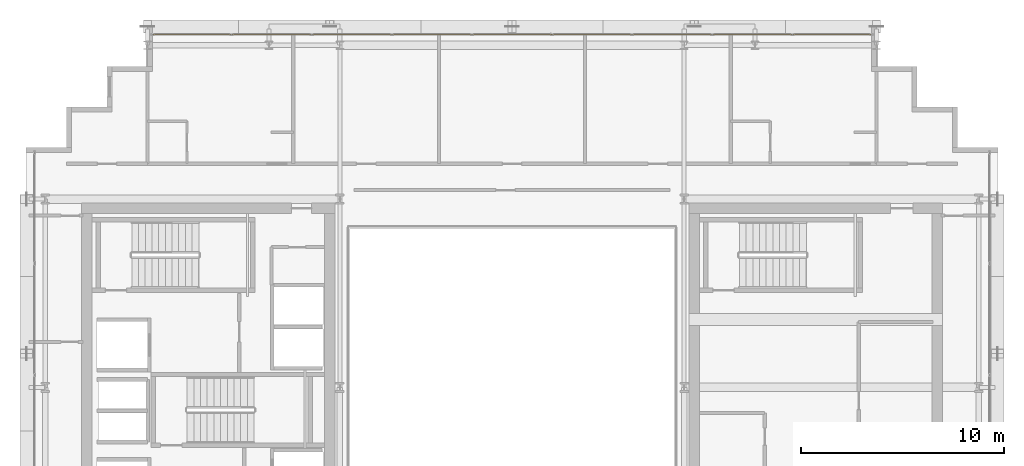
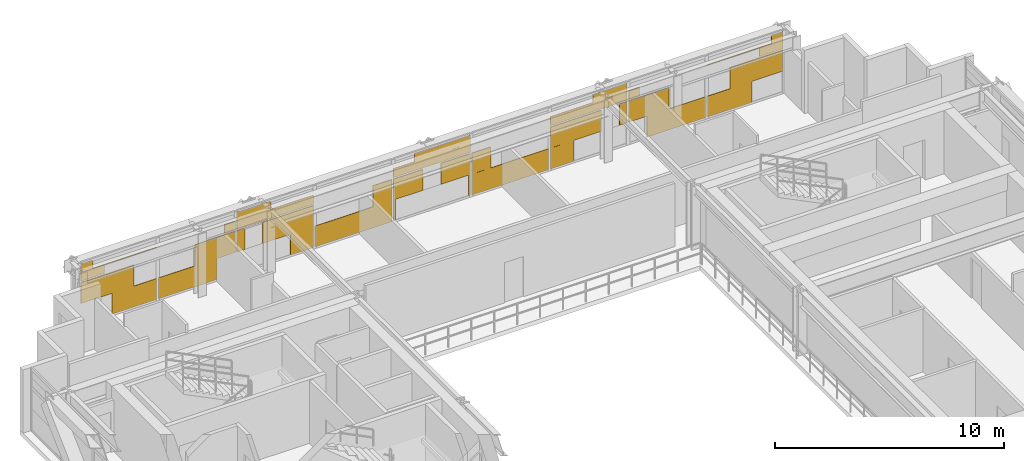
# One storey, part 31 of 31: 1 covering.
"""IFC4 building model written with IfcOpenShell, lengths in metres."""

from ifc_helpers import new_model, si_unit, direction, frame, origin, origin_2d, place, context, subcontext, project, spatial, rectangle, extrude, material, layer, layer_set, type_object, element, save


model = new_model("IFC4")

# Units and contexts
model_context = context("Model", 3, precision=1e-05, world=origin(), true_north=direction((0.0, 1.0)))
body_context = subcontext(model_context, "Body", "Model", "MODEL_VIEW")
ifc_project = project(units=[si_unit("LENGTHUNIT", "METRE"), si_unit("AREAUNIT", "SQUARE_METRE"), si_unit("VOLUMEUNIT", "CUBIC_METRE"), si_unit("PLANEANGLEUNIT", "RADIAN"), si_unit("MASSUNIT", "GRAM", prefix="KILO")], contexts=[model_context])

# Site, building, storey
site_placement = place(None, origin())
site = spatial("IfcSite", under=ifc_project, at=site_placement, CompositionType="ELEMENT")
building_placement = place(site_placement, origin())
building = spatial("IfcBuilding", under=site, at=building_placement, Name="Ocotamira Hotel", CompositionType="ELEMENT")
storey_placement = place(building_placement, frame((0.0, 0.0, 199.199951171875)))
storey = spatial("IfcBuildingStorey", under=building, at=storey_placement, Name="L50", CompositionType="ELEMENT", Elevation=199.199951171875)

# Covering
ifc_material = material(Name="Insulated pale-metal aluminium spandrel panel", Category="aluminium")
ifc_layer = layer(ifc_material, 0.044921875)
ifc_layer_set = layer_set([ifc_layer], Name="Insulated pale-metal aluminium spandrel panel")
covering_type = type_object("IfcCoveringType", Name="COV-INFILL-45", PredefinedType="CLADDING", material=ifc_layer_set)
covering_placement = place(storey_placement, origin())
element("IfcCovering", 1, at=covering_placement, inside=storey, type_object=covering_type, Name="L50 Curtain Wall Infill CW-4 CW-L50-N", PredefinedType="CLADDING", context=body_context, shape_type="SweptSolid", body=[
    extrude(rectangle(XDim=2.68701171875, YDim=0.044921875, at=origin_2d()), frame((15.6240234375, 45.580078125, 1.1943359375), z_axis=(0.0, 0.0, 1.0), x_axis=(1.0, 0.0, 0.0)), (0.0, 0.0, 1.0), 1.11767578125),
    extrude(rectangle(XDim=2.26708984375, YDim=0.044921875, at=origin_2d()), frame((16.9814453125, 45.580078125, 0.07568359375), z_axis=(0.0, 0.0, 1.0), x_axis=(1.0, 0.0, 0.0)), (0.0, 0.0, 1.0), 1.117919921875),
    extrude(rectangle(XDim=1.19482421875, YDim=0.044921875, at=origin_2d()), frame((14.8779296875, 45.580078125, 2.38818359375), z_axis=(0.0, 0.0, 1.0), x_axis=(1.0, 0.0, 0.0)), (0.0, 0.0, 1.0), 0.442626953125),
    extrude(rectangle(XDim=3.834716796875, YDim=0.044921875, at=origin_2d()), frame((16.19775390625, 45.580078125, 2.83154296875), z_axis=(0.0, 0.0, 1.0), x_axis=(1.0, 0.0, 0.0)), (0.0, 0.0, 1.0), 0.0302734375),
    extrude(rectangle(XDim=0.601318359375, YDim=0.044921875, at=origin_2d()), frame((14.581298828125, 45.580078125, 2.863037109375), z_axis=(0.0, 0.0, 1.0), x_axis=(1.0, 0.0, 0.0)), (0.0, 0.0, 1.0), 0.431640625),
    extrude(rectangle(XDim=2.955810546875, YDim=0.044921875, at=origin_2d()), frame((19.674072265625, 45.580078125, 0.07568359375), z_axis=(0.0, 0.0, 1.0), x_axis=(1.0, 0.0, 0.0)), (0.0, 0.0, 1.0), 1.117919921875),
    extrude(rectangle(XDim=2.0380859375, YDim=0.044921875, at=origin_2d()), frame((21.051513671875, 45.580078125, 1.1943359375), z_axis=(0.0, 0.0, 1.0), x_axis=(1.0, 0.0, 0.0)), (0.0, 0.0, 1.0), 1.11767578125),
    extrude(rectangle(XDim=0.5458984375, YDim=0.044921875, at=origin_2d()), frame((21.797607421875, 45.580078125, 2.38818359375), z_axis=(0.0, 0.0, 1.0), x_axis=(1.0, 0.0, 0.0)), (0.0, 0.0, 1.0), 0.473876953125),
    extrude(rectangle(XDim=0.398681640625, YDim=0.044921875, at=origin_2d()), frame((22.35107421875, 45.580078125, 1.1943359375), z_axis=(0.0, 0.0, 1.0), x_axis=(1.0, 0.0, 0.0)), (0.0, 0.0, 1.0), 1.11767578125),
    extrude(rectangle(XDim=2.57666015625, YDim=0.044921875, at=origin_2d()), frame((24.73779296875, 45.580078125, 1.1943359375), z_axis=(0.0, 0.0, 1.0), x_axis=(1.0, 0.0, 0.0)), (0.0, 0.0, 1.0), 1.11767578125),
    extrude(rectangle(XDim=1.177978515625, YDim=0.044921875, at=origin_2d()), frame((25.43701171875, 45.580078125, 0.07568359375), z_axis=(0.0, 0.0, 1.0), x_axis=(1.0, 0.0, 0.0)), (0.0, 0.0, 1.0), 1.117919921875),
    extrude(rectangle(XDim=3.87451171875, YDim=0.044921875, at=origin_2d()), frame((24.0888671875, 45.580078125, 2.38818359375), z_axis=(0.0, 0.0, 1.0), x_axis=(1.0, 0.0, 0.0)), (0.0, 0.0, 1.0), 0.473876953125),
    extrude(rectangle(XDim=1.730224609375, YDim=0.044921875, at=origin_2d()), frame((23.0166015625, 45.580078125, 2.863037109375), z_axis=(0.0, 0.0, 1.0), x_axis=(1.0, 0.0, 0.0)), (0.0, 0.0, 1.0), 0.431640625),
    extrude(rectangle(XDim=3.87451171875, YDim=0.044921875, at=origin_2d()), frame((28.04443359375, 45.580078125, 0.07568359375), z_axis=(0.0, 0.0, 1.0), x_axis=(1.0, 0.0, 0.0)), (0.0, 0.0, 1.0), 1.117919921875),
    extrude(rectangle(XDim=0.94921875, YDim=0.044921875, at=origin_2d()), frame((29.507080078125, 45.580078125, 1.1943359375), z_axis=(0.0, 0.0, 1.0), x_axis=(1.0, 0.0, 0.0)), (0.0, 0.0, 1.0), 1.11767578125),
    extrude(rectangle(XDim=0.089111328125, YDim=0.044921875, at=origin_2d()), frame((30.107421875, 45.580078125, 0.07568359375), z_axis=(0.0, 0.0, 1.0), x_axis=(1.0, 0.0, 0.0)), (0.0, 0.0, 1.0), 1.117919921875),
    extrude(rectangle(XDim=1.48779296875, YDim=0.044921875, at=origin_2d()), frame((30.806640625, 45.580078125, 1.1943359375), z_axis=(0.0, 0.0, 1.0), x_axis=(1.0, 0.0, 0.0)), (0.0, 0.0, 1.0), 1.11767578125),
    extrude(rectangle(XDim=1.48779296875, YDim=0.044921875, at=origin_2d()), frame((33.193359375, 45.580078125, 1.1943359375), z_axis=(0.0, 0.0, 1.0), x_axis=(1.0, 0.0, 0.0)), (0.0, 0.0, 1.0), 1.11767578125),
    extrude(rectangle(XDim=0.089111328125, YDim=0.044921875, at=origin_2d()), frame((33.892578125, 45.580078125, 0.07568359375), z_axis=(0.0, 0.0, 1.0), x_axis=(1.0, 0.0, 0.0)), (0.0, 0.0, 1.0), 1.117919921875),
    extrude(rectangle(XDim=3.87451171875, YDim=0.044921875, at=origin_2d()), frame((32.0, 45.580078125, 2.38818359375), z_axis=(0.0, 0.0, 1.0), x_axis=(1.0, 0.0, 0.0)), (0.0, 0.0, 1.0), 0.473876953125),
    extrude(rectangle(XDim=2.819091796875, YDim=0.044921875, at=origin_2d()), frame((32.527587890625, 45.580078125, 2.863037109375), z_axis=(0.0, 0.0, 1.0), x_axis=(1.0, 0.0, 0.0)), (0.0, 0.0, 1.0), 0.431640625),
    extrude(rectangle(XDim=3.87451171875, YDim=0.044921875, at=origin_2d()), frame((35.95556640625, 45.580078125, 0.07568359375), z_axis=(0.0, 0.0, 1.0), x_axis=(1.0, 0.0, 0.0)), (0.0, 0.0, 1.0), 1.117919921875),
    extrude(rectangle(XDim=0.94921875, YDim=0.044921875, at=origin_2d()), frame((34.492919921875, 45.580078125, 1.1943359375), z_axis=(0.0, 0.0, 1.0), x_axis=(1.0, 0.0, 0.0)), (0.0, 0.0, 1.0), 1.11767578125),
    extrude(rectangle(XDim=1.177978515625, YDim=0.044921875, at=origin_2d()), frame((38.56298828125, 45.580078125, 0.07568359375), z_axis=(0.0, 0.0, 1.0), x_axis=(1.0, 0.0, 0.0)), (0.0, 0.0, 1.0), 1.117919921875),
    extrude(rectangle(XDim=2.57666015625, YDim=0.044921875, at=origin_2d()), frame((39.26220703125, 45.580078125, 1.1943359375), z_axis=(0.0, 0.0, 1.0), x_axis=(1.0, 0.0, 0.0)), (0.0, 0.0, 1.0), 1.11767578125),
    extrude(rectangle(XDim=0.398681640625, YDim=0.044921875, at=origin_2d()), frame((41.64892578125, 45.580078125, 1.1943359375), z_axis=(0.0, 0.0, 1.0), x_axis=(1.0, 0.0, 0.0)), (0.0, 0.0, 1.0), 1.11767578125),
    extrude(rectangle(XDim=3.87451171875, YDim=0.044921875, at=origin_2d()), frame((39.9111328125, 45.580078125, 2.38818359375), z_axis=(0.0, 0.0, 1.0), x_axis=(1.0, 0.0, 0.0)), (0.0, 0.0, 1.0), 0.473876953125),
    extrude(rectangle(XDim=1.730224609375, YDim=0.044921875, at=origin_2d()), frame((40.9833984375, 45.580078125, 2.863037109375), z_axis=(0.0, 0.0, 1.0), x_axis=(1.0, 0.0, 0.0)), (0.0, 0.0, 1.0), 0.431640625),
    extrude(rectangle(XDim=2.0380859375, YDim=0.044921875, at=origin_2d()), frame((42.948486328125, 45.580078125, 1.1943359375), z_axis=(0.0, 0.0, 1.0), x_axis=(1.0, 0.0, 0.0)), (0.0, 0.0, 1.0), 1.11767578125),
    extrude(rectangle(XDim=2.955810546875, YDim=0.044921875, at=origin_2d()), frame((44.325927734375, 45.580078125, 0.07568359375), z_axis=(0.0, 0.0, 1.0), x_axis=(1.0, 0.0, 0.0)), (0.0, 0.0, 1.0), 1.117919921875),
    extrude(rectangle(XDim=0.5458984375, YDim=0.044921875, at=origin_2d()), frame((42.202392578125, 45.580078125, 2.38818359375), z_axis=(0.0, 0.0, 1.0), x_axis=(1.0, 0.0, 0.0)), (0.0, 0.0, 1.0), 0.473876953125),
    extrude(rectangle(XDim=2.26708984375, YDim=0.044921875, at=origin_2d()), frame((47.0185546875, 45.580078125, 0.07568359375), z_axis=(0.0, 0.0, 1.0), x_axis=(1.0, 0.0, 0.0)), (0.0, 0.0, 1.0), 1.117919921875),
    extrude(rectangle(XDim=2.68701171875, YDim=0.044921875, at=origin_2d()), frame((48.3759765625, 45.580078125, 1.1943359375), z_axis=(0.0, 0.0, 1.0), x_axis=(1.0, 0.0, 0.0)), (0.0, 0.0, 1.0), 1.11767578125),
    extrude(rectangle(XDim=3.834716796875, YDim=0.044921875, at=origin_2d()), frame((47.80224609375, 45.580078125, 2.83154296875), z_axis=(0.0, 0.0, 1.0), x_axis=(1.0, 0.0, 0.0)), (0.0, 0.0, 1.0), 0.0302734375),
    extrude(rectangle(XDim=1.19482421875, YDim=0.044921875, at=origin_2d()), frame((49.1220703125, 45.580078125, 2.38818359375), z_axis=(0.0, 0.0, 1.0), x_axis=(1.0, 0.0, 0.0)), (0.0, 0.0, 1.0), 0.442626953125),
    extrude(rectangle(XDim=0.601318359375, YDim=0.044921875, at=origin_2d()), frame((49.418701171875, 45.580078125, 2.863037109375), z_axis=(0.0, 0.0, 1.0), x_axis=(1.0, 0.0, 0.0)), (0.0, 0.0, 1.0), 0.431640625),
])

save(model, "model.ifc")
